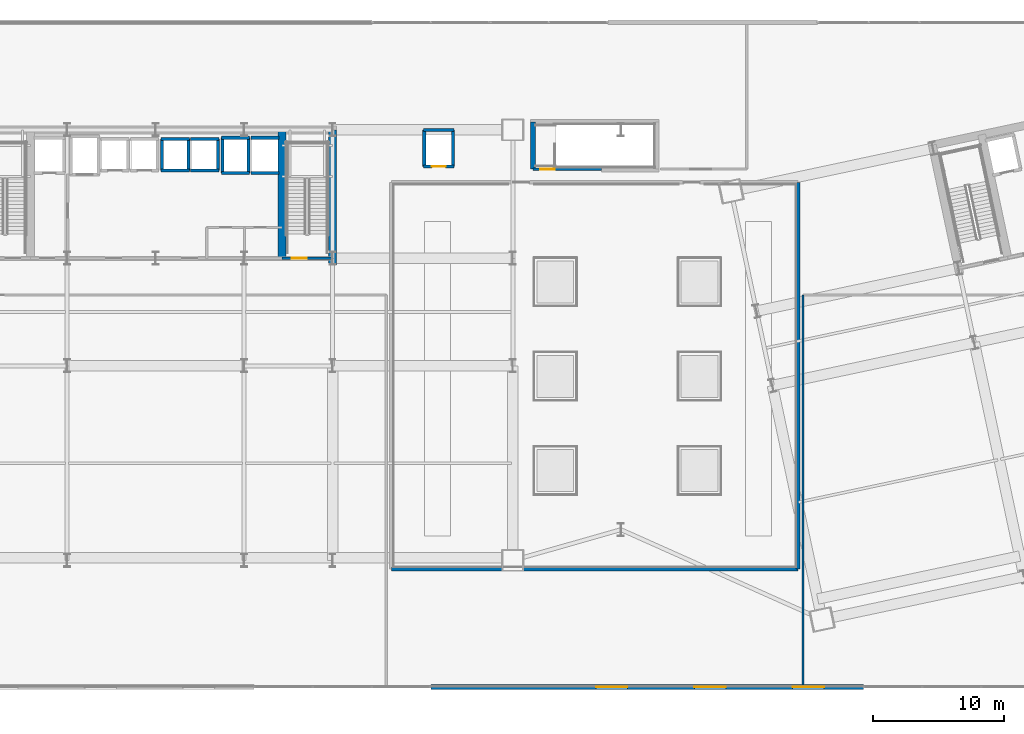
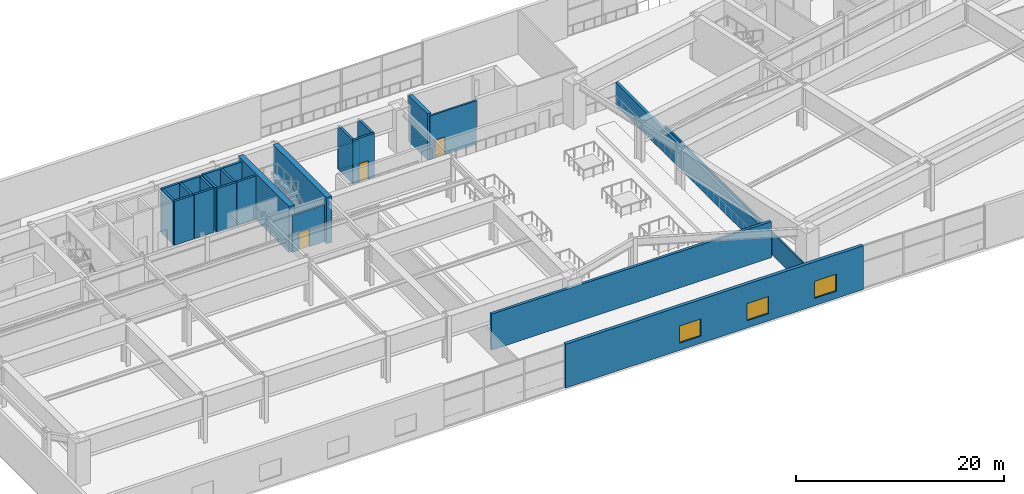
# One storey, part 17 of 29: 26 walls, 3 doors, 3 windows, 6 openings.
"""IFC4 building model written with IfcOpenShell, lengths in metres."""

from ifc_helpers import new_model, si_unit, direction, frame, frame_2d, origin, place, context, subcontext, project, spatial, rectangle, extrude, material, layer, layer_set, type_object, element, fill, save


model = new_model("IFC4")

# Units and contexts
model_context = context("Model", 3, precision=1e-05, world=origin(), true_north=direction((0.0, 1.0)))
body_context = subcontext(model_context, "Body", "Model", "MODEL_VIEW")
ifc_project = project(units=[si_unit("LENGTHUNIT", "METRE"), si_unit("AREAUNIT", "SQUARE_METRE"), si_unit("VOLUMEUNIT", "CUBIC_METRE"), si_unit("PLANEANGLEUNIT", "RADIAN"), si_unit("MASSUNIT", "GRAM", prefix="KILO")], contexts=[model_context])

# Site, building, storey
site_placement = place(None, origin())
site = spatial("IfcSite", under=ifc_project, at=site_placement, CompositionType="ELEMENT")
building_placement = place(site_placement, origin())
building = spatial("IfcBuilding", under=site, at=building_placement, Name="Haevon Station Towers", CompositionType="ELEMENT")
storey_placement = place(building_placement, frame((0.0, 0.0, 25.199951171875)))
storey = spatial("IfcBuildingStorey", under=building, at=storey_placement, Name="L05", CompositionType="ELEMENT", Elevation=25.199951171875)

# Wall, opening, door
ifc_material_1 = material(Name="Gypsum board on steel stud", Category="steel")
ifc_layer_1 = layer(ifc_material_1, 0.199951171875)
ifc_layer_set_1 = layer_set([ifc_layer_1], Name="Gypsum board on steel stud")
wall_type_1 = type_object("IfcWallType", Name="WL-COR200", PredefinedType="PARTITIONING", material=ifc_layer_set_1)
wall_1_placement = place(storey_placement, frame((47.14990234375, 38.199951171875, 0.0), z_axis=(0.0, 0.0, 1.0), x_axis=(1.0, 0.0, 0.0)))
wall_1 = element("IfcWall", 1, at=wall_1_placement, inside=storey, type_object=wall_type_1, Name="WL-ST-ST2-L05", PredefinedType="PARTITIONING", context=body_context, shape_type="SweptSolid", body=[
    extrude(rectangle(XDim=3.85009765625, YDim=0.199951171875, at=frame_2d((1.925048828125, 0.0))), origin(), (0.0, 0.0, 1.0), 4.330078125),
])
opening_1_placement = place(wall_1_placement, frame((0.75, 0.0, 0.0)))
opening_1 = element("IfcOpeningElement", 2, at=opening_1_placement, cuts=wall_1, Name="Opening DR-ST-ST2-L05", PredefinedType="OPENING", context=body_context, shape_type="SweptSolid", body=[
    extrude(rectangle(XDim=1.1201171875, YDim=2.10009765625, at=frame_2d((0.56005859375, 1.050048828125))), frame((0.0, 0.10986328125, 0.0), z_axis=(0.0, -1.0, 0.0), x_axis=(1.0, 0.0, 0.0)), (0.0, 0.0, 1.0), 0.219970703125),
])
ifc_material_2 = material(Name="Engineered oak timber", Category="wood")
door_type_1 = type_object("IfcDoorType", Name="DR-ST-1120", OperationType="NOTDEFINED", PredefinedType="DOOR", material=ifc_material_2)
door_1_placement = place(opening_1_placement, origin())
door_1 = element("IfcDoor", 3, at=door_1_placement, inside=storey, type_object=door_type_1, Name="L05 Escape Stair ST2 Fire Door", OperationType="SINGLE_SWING_LEFT", OverallHeight=2.10009765625, OverallWidth=1.1201171875, PredefinedType="DOOR", context=body_context, shape_type="SweptSolid", body=[
    extrude(rectangle(XDim=1.1201171875, YDim=2.10009765625, at=frame_2d((0.56005859375, 1.050048828125))), frame((0.0, 0.02490234375, 0.0), z_axis=(0.0, -1.0, 0.0), x_axis=(1.0, 0.0, 0.0)), (0.0, 0.0, 1.0), 0.050048828125),
])
fill(opening_1, door_1)

wall_2_placement = place(storey_placement, frame((66.300048828125, 45.0, 0.0), z_axis=(0.0, 0.0, 1.0), x_axis=(1.0, 0.0, 0.0)))
wall_2 = element("IfcWall", 4, at=wall_2_placement, inside=storey, type_object=wall_type_1, Name="WL-ST-ST6-L05-S", PredefinedType="PARTITIONING", context=body_context, shape_type="SweptSolid", body=[
    extrude(rectangle(XDim=5.199951171875, YDim=0.199951171875, at=frame_2d((2.60009765625, 0.0))), origin(), (0.0, 0.0, 1.0), 5.130126953125),
])
opening_2_placement = place(wall_2_placement, frame((0.550048828125, 0.0, 0.0)))
opening_2 = element("IfcOpeningElement", 5, at=opening_2_placement, cuts=wall_2, Name="Opening DR-ST-ST6-L05", PredefinedType="OPENING", context=body_context, shape_type="SweptSolid", body=[
    extrude(rectangle(XDim=1.1201171875, YDim=2.10009765625, at=frame_2d((0.56005859375, 1.050048828125))), frame((0.0, 0.10986328125, 0.0), z_axis=(0.0, -1.0, 0.0), x_axis=(1.0, 0.0, 0.0)), (0.0, 0.0, 1.0), 0.219970703125),
])
door_2_placement = place(opening_2_placement, origin())
door_2 = element("IfcDoor", 6, at=door_2_placement, inside=storey, type_object=door_type_1, Name="L05 Station Escape Stair ST6 Fire Door", OperationType="SINGLE_SWING_RIGHT", OverallHeight=2.10009765625, OverallWidth=1.1201171875, PredefinedType="DOOR", context=body_context, shape_type="SweptSolid", body=[
    extrude(rectangle(XDim=1.1201171875, YDim=2.10009765625, at=frame_2d((0.56005859375, 1.050048828125))), frame((0.0, 0.02490234375, 0.0), z_axis=(0.0, -1.0, 0.0), x_axis=(1.0, 0.0, 0.0)), (0.0, 0.0, 1.0), 0.050048828125),
])
fill(opening_2, door_2)

# Walls
ifc_material_3 = material(Name="Concrete C60/75", Category="concrete")
ifc_layer_2 = layer(ifc_material_3, 0.39990234375)
ifc_layer_set_2 = layer_set([ifc_layer_2], Name="Concrete C60/75")
wall_type_2 = type_object("IfcWallType", Name="WL-CR400", PredefinedType="SHEAR", material=ifc_layer_set_2)
wall_3_placement = place(storey_placement, frame((66.300048828125, 45.0, 0.0), z_axis=(0.0, 0.0, 1.0), x_axis=(0.0, 1.0, 0.0)))
element("IfcWall", 7, at=wall_3_placement, inside=storey, type_object=wall_type_2, Name="WL-ST6CR-L05-W", PredefinedType="SHEAR", context=body_context, shape_type="SweptSolid", body=[
    extrude(rectangle(XDim=3.60009765625, YDim=0.39990234375, at=frame_2d((1.800048828125, 0.0))), origin(), (0.0, 0.0, 1.0), 5.400146484375),
])
ifc_layer_3 = layer(ifc_material_3, 0.60009765625)
ifc_layer_set_3 = layer_set([ifc_layer_3], Name="Concrete C60/75")
wall_type_3 = type_object("IfcWallType", Name="WL-CR600", PredefinedType="SHEAR", material=ifc_layer_set_3)
wall_4_placement = place(storey_placement, frame((51.0, 37.679931640625, 0.0), z_axis=(0.0, 0.0, 1.0), x_axis=(0.0, 1.0, 0.0)))
element("IfcWall", 8, at=wall_4_placement, inside=storey, type_object=wall_type_3, Name="WL-T1CR-L05-E", PredefinedType="SHEAR", context=body_context, shape_type="SweptSolid", body=[
    extrude(rectangle(XDim=10.320068359375, YDim=0.60009765625, at=frame_2d((5.16015625, 0.0))), origin(), (0.0, 0.0, 1.0), 5.400146484375),
])
wall_5_placement = place(storey_placement, frame((47.14990234375, 38.199951171875, 0.0), z_axis=(0.0, 0.0, 1.0), x_axis=(0.0, 1.0, 0.0)))
element("IfcWall", 9, at=wall_5_placement, inside=storey, type_object=wall_type_3, Name="WL-T1CR-L05-M2", PredefinedType="SHEAR", context=body_context, shape_type="SweptSolid", body=[
    extrude(rectangle(XDim=9.800048828125, YDim=0.60009765625, at=frame_2d((4.89990234375, 0.0))), origin(), (0.0, 0.0, 1.0), 5.400146484375),
])
ifc_material_4 = material(Name="Precast concrete C45/55", Category="concrete")
ifc_layer_4 = layer(ifc_material_4, 0.300048828125)
ifc_layer_set_4 = layer_set([ifc_layer_4], Name="Precast concrete C45/55")
wall_type_4 = type_object("IfcWallType", Name="WL-EXT-PIER300", PredefinedType="SOLIDWALL", material=ifc_layer_set_4)
wall_6_placement = place(storey_placement, frame((86.5, 44.0, 0.0), z_axis=(0.0, 0.0, 1.0), x_axis=(0.0, -1.0, 0.0)))
element("IfcWall", 10, at=wall_6_placement, inside=storey, type_object=wall_type_4, Name="WL-L05-CTYD-E", PredefinedType="SOLIDWALL", context=body_context, shape_type="SweptSolid", body=[
    extrude(rectangle(XDim=29.5, YDim=0.300048828125, at=frame_2d((14.75, 0.0))), origin(), (0.0, 0.0, 1.0), 2.630126953125),
])
wall_7_placement = place(storey_placement, frame((55.5, 14.5, 0.0), z_axis=(0.0, 0.0, 1.0), x_axis=(1.0, 0.0, 0.0)))
element("IfcWall", 11, at=wall_7_placement, inside=storey, type_object=wall_type_4, Name="WL-L05-CTYD-S", PredefinedType="SOLIDWALL", context=body_context, shape_type="SweptSolid", body=[
    extrude(rectangle(XDim=31.0, YDim=0.300048828125, at=frame_2d((15.5, 0.0))), origin(), (0.0, 0.0, 1.0), 4.22998046875),
])

# Wall, openings, windows
ifc_layer_5 = layer(ifc_material_4, 0.360107421875)
ifc_layer_set_5 = layer_set([ifc_layer_5], Name="Precast concrete C45/55")
wall_type_5 = type_object("IfcWallType", Name="WL-EXT-POD360", PredefinedType="SOLIDWALL", material=ifc_layer_set_5)
wall_8_placement = place(storey_placement, frame((91.5, 5.5, 0.0), z_axis=(0.0, 0.0, 1.0), x_axis=(-1.0, 0.0, 0.0)))
wall_8 = element("IfcWall", 12, at=wall_8_placement, inside=storey, type_object=wall_type_5, Name="WL-POD-L05-S2", PredefinedType="SOLIDWALL", context=body_context, shape_type="SweptSolid", body=[
    extrude(rectangle(XDim=33.0, YDim=0.360107421875, at=frame_2d((16.5, 0.0))), origin(), (0.0, 0.0, 1.0), 5.130126953125),
])
opening_3_placement = place(wall_8_placement, frame((3.0, 0.0, 0.85009765625)))
opening_3 = element("IfcOpeningElement", 13, at=opening_3_placement, cuts=wall_8, Name="Opening WN-P240", PredefinedType="OPENING", context=body_context, shape_type="SweptSolid", body=[
    extrude(rectangle(XDim=2.39990234375, YDim=2.0, at=frame_2d((1.199951171875, 1.0))), frame((0.0, 0.18994140625, 0.0), z_axis=(0.0, -1.0, 0.0), x_axis=(1.0, 0.0, 0.0)), (0.0, 0.0, 1.0), 0.380126953125),
])
opening_4_placement = place(wall_8_placement, frame((10.5, 0.0, 0.85009765625)))
opening_4 = element("IfcOpeningElement", 14, at=opening_4_placement, cuts=wall_8, Name="Opening WN-P240", PredefinedType="OPENING", context=body_context, shape_type="SweptSolid", body=[
    extrude(rectangle(XDim=2.39990234375, YDim=2.0, at=frame_2d((1.199951171875, 1.0))), frame((0.0, 0.18994140625, 0.0), z_axis=(0.0, -1.0, 0.0), x_axis=(1.0, 0.0, 0.0)), (0.0, 0.0, 1.0), 0.380126953125),
])
opening_5_placement = place(wall_8_placement, frame((18.0, 0.0, 0.85009765625)))
opening_5 = element("IfcOpeningElement", 15, at=opening_5_placement, cuts=wall_8, Name="Opening WN-P240", PredefinedType="OPENING", context=body_context, shape_type="SweptSolid", body=[
    extrude(rectangle(XDim=2.39990234375, YDim=2.0, at=frame_2d((1.199951171875, 1.0))), frame((0.0, 0.18994140625, 0.0), z_axis=(0.0, -1.0, 0.0), x_axis=(1.0, 0.0, 0.0)), (0.0, 0.0, 1.0), 0.380126953125),
])
ifc_material_5 = material(Name="Low-E triple glazing in thermally broken aluminium", Category="aluminium")
window_type = type_object("IfcWindowType", Name="WN-P240", PartitioningType="SINGLE_PANEL", PredefinedType="WINDOW", material=ifc_material_5)
window_1_placement = place(opening_3_placement, origin())
window_1 = element("IfcWindow", 16, at=window_1_placement, inside=storey, type_object=window_type, Name="WN-POD-L05-S2-01", OverallHeight=2.0, OverallWidth=2.39990234375, PartitioningType="SINGLE_PANEL", PredefinedType="WINDOW", context=body_context, shape_type="SweptSolid", body=[
    extrude(rectangle(XDim=2.39990234375, YDim=2.0, at=frame_2d((1.199951171875, 1.0))), frame((0.0, 0.030029296875, 0.0), z_axis=(0.0, -1.0, 0.0), x_axis=(1.0, 0.0, 0.0)), (0.0, 0.0, 1.0), 0.06005859375),
])
fill(opening_3, window_1)
window_2_placement = place(opening_4_placement, origin())
window_2 = element("IfcWindow", 17, at=window_2_placement, inside=storey, type_object=window_type, Name="WN-POD-L05-S2-02", OverallHeight=2.0, OverallWidth=2.39990234375, PartitioningType="SINGLE_PANEL", PredefinedType="WINDOW", context=body_context, shape_type="SweptSolid", body=[
    extrude(rectangle(XDim=2.39990234375, YDim=2.0, at=frame_2d((1.199951171875, 1.0))), frame((0.0, 0.030029296875, 0.0), z_axis=(0.0, -1.0, 0.0), x_axis=(1.0, 0.0, 0.0)), (0.0, 0.0, 1.0), 0.06005859375),
])
fill(opening_4, window_2)
window_3_placement = place(opening_5_placement, origin())
window_3 = element("IfcWindow", 18, at=window_3_placement, inside=storey, type_object=window_type, Name="WN-POD-L05-S2-03", OverallHeight=2.0, OverallWidth=2.39990234375, PartitioningType="SINGLE_PANEL", PredefinedType="WINDOW", context=body_context, shape_type="SweptSolid", body=[
    extrude(rectangle(XDim=2.39990234375, YDim=2.0, at=frame_2d((1.199951171875, 1.0))), frame((0.0, 0.030029296875, 0.0), z_axis=(0.0, -1.0, 0.0), x_axis=(1.0, 0.0, 0.0)), (0.0, 0.0, 1.0), 0.06005859375),
])
fill(opening_5, window_3)

# Walls
ifc_layer_6 = layer(ifc_material_1, 0.159912109375)
ifc_layer_set_6 = layer_set([ifc_layer_6], Name="Gypsum board on steel stud")
wall_type_6 = type_object("IfcWallType", Name="WL-PRT160", PredefinedType="PARTITIONING", material=ifc_layer_set_6)
wall_9_placement = place(storey_placement, frame((86.89990234375, 5.64990234375, 0.0), z_axis=(0.0, 0.0, 1.0), x_axis=(0.0, 1.0, 0.0)))
element("IfcWall", 19, at=wall_9_placement, inside=storey, type_object=wall_type_6, Name="WL-L05-EAST", PredefinedType="PARTITIONING", context=body_context, shape_type="SweptSolid", body=[
    extrude(rectangle(XDim=29.75, YDim=0.159912109375, at=frame_2d((14.875, 0.0))), origin(), (0.0, 0.0, 1.0), 2.630126953125),
])
ifc_material_6 = material(Name="Concrete C40/50", Category="concrete")
ifc_layer_7 = layer(ifc_material_6, 0.239990234375)
ifc_layer_set_7 = layer_set([ifc_layer_7], Name="Concrete C40/50")
wall_type_7 = type_object("IfcWallType", Name="WL-SHF240", PredefinedType="PARTITIONING", material=ifc_layer_set_7)
for number, where, z_axis, x_axis, name in (
    (20, (37.919921875, 44.89990234375, 0.0), (0.0, 0.0, 1.0), (1.0, 0.0, 0.0), "WL-SHF-PL3-L05"),
    (21, (37.919921875, 47.300048828125, 0.0), (0.0, 0.0, 1.0), (1.0, 0.0, 0.0), "WL-SHF-PL3-L05-N"),
):
    element("IfcWall", number, at=place(storey_placement, frame(where, z_axis=z_axis, x_axis=x_axis)), inside=storey, type_object=wall_type_7, Name=name, PredefinedType="PARTITIONING", context=body_context, shape_type="SweptSolid", body=[
        extrude(rectangle(XDim=2.16015625, YDim=0.239990234375, at=frame_2d((1.080078125, 0.0))), origin(), (0.0, 0.0, 1.0), 5.130126953125),
    ])
for number, where, z_axis, x_axis, name in (
    (22, (38.0, 44.89990234375, 0.0), (0.0, 0.0, 1.0), (0.0, 1.0, 0.0), "WL-SHF-PL3-L05-W"),
    (23, (40.0, 44.89990234375, 0.0), (0.0, 0.0, 1.0), (0.0, 1.0, 0.0), "WL-SHF-PL3-L05-E"),
):
    element("IfcWall", number, at=place(storey_placement, frame(where, z_axis=z_axis, x_axis=x_axis)), inside=storey, type_object=wall_type_7, Name=name, PredefinedType="PARTITIONING", context=body_context, shape_type="SweptSolid", body=[
        extrude(rectangle(XDim=2.400146484375, YDim=0.239990234375, at=frame_2d((1.2001953125, 0.0))), origin(), (0.0, 0.0, 1.0), 5.130126953125),
    ])
for number, where, z_axis, x_axis, name in (
    (24, (40.169921875, 44.89990234375, 0.0), (0.0, 0.0, 1.0), (1.0, 0.0, 0.0), "WL-SHF-PL4-L05"),
    (25, (40.169921875, 47.300048828125, 0.0), (0.0, 0.0, 1.0), (1.0, 0.0, 0.0), "WL-SHF-PL4-L05-N"),
):
    element("IfcWall", number, at=place(storey_placement, frame(where, z_axis=z_axis, x_axis=x_axis)), inside=storey, type_object=wall_type_7, Name=name, PredefinedType="PARTITIONING", context=body_context, shape_type="SweptSolid", body=[
        extrude(rectangle(XDim=2.16015625, YDim=0.239990234375, at=frame_2d((1.080078125, 0.0))), origin(), (0.0, 0.0, 1.0), 5.130126953125),
    ])
wall_10_placement = place(storey_placement, frame((42.25, 44.89990234375, 0.0), z_axis=(0.0, 0.0, 1.0), x_axis=(0.0, 1.0, 0.0)))
element("IfcWall", 26, at=wall_10_placement, inside=storey, type_object=wall_type_7, Name="WL-SHF-PL4-L05-E", PredefinedType="PARTITIONING", context=body_context, shape_type="SweptSolid", body=[
    extrude(rectangle(XDim=2.400146484375, YDim=0.239990234375, at=frame_2d((1.2001953125, 0.0))), origin(), (0.0, 0.0, 1.0), 5.130126953125),
])
for number, where, z_axis, x_axis, name in (
    (27, (42.52001953125, 44.699951171875, 0.0), (0.0, 0.0, 1.0), (1.0, 0.0, 0.0), "WL-SHF-PL5-L05"),
    (28, (42.52001953125, 47.39990234375, 0.0), (0.0, 0.0, 1.0), (1.0, 0.0, 0.0), "WL-SHF-PL5-L05-N"),
):
    element("IfcWall", number, at=place(storey_placement, frame(where, z_axis=z_axis, x_axis=x_axis)), inside=storey, type_object=wall_type_7, Name=name, PredefinedType="PARTITIONING", context=body_context, shape_type="SweptSolid", body=[
        extrude(rectangle(XDim=2.159912109375, YDim=0.239990234375, at=frame_2d((1.080078125, 0.0))), origin(), (0.0, 0.0, 1.0), 5.130126953125),
    ])
for number, where, z_axis, x_axis, name in (
    (29, (42.60009765625, 44.699951171875, 0.0), (0.0, 0.0, 1.0), (0.0, 1.0, 0.0), "WL-SHF-PL5-L05-W"),
    (30, (44.60009765625, 44.699951171875, 0.0), (0.0, 0.0, 1.0), (0.0, 1.0, 0.0), "WL-SHF-PL5-L05-E"),
):
    element("IfcWall", number, at=place(storey_placement, frame(where, z_axis=z_axis, x_axis=x_axis)), inside=storey, type_object=wall_type_7, Name=name, PredefinedType="PARTITIONING", context=body_context, shape_type="SweptSolid", body=[
        extrude(rectangle(XDim=2.699951171875, YDim=0.239990234375, at=frame_2d((1.35009765625, 0.0))), origin(), (0.0, 0.0, 1.0), 5.130126953125),
    ])
for number, where, z_axis, x_axis, name in (
    (31, (44.77001953125, 44.699951171875, 0.0), (0.0, 0.0, 1.0), (1.0, 0.0, 0.0), "WL-SHF-PL6-L05"),
    (32, (44.77001953125, 47.39990234375, 0.0), (0.0, 0.0, 1.0), (1.0, 0.0, 0.0), "WL-SHF-PL6-L05-N"),
):
    element("IfcWall", number, at=place(storey_placement, frame(where, z_axis=z_axis, x_axis=x_axis)), inside=storey, type_object=wall_type_7, Name=name, PredefinedType="PARTITIONING", context=body_context, shape_type="SweptSolid", body=[
        extrude(rectangle(XDim=2.159912109375, YDim=0.239990234375, at=frame_2d((1.080078125, 0.0))), origin(), (0.0, 0.0, 1.0), 5.130126953125),
    ])

# Wall, opening, door
wall_11_placement = place(storey_placement, frame((57.919921875, 45.199951171875, 0.0), z_axis=(0.0, 0.0, 1.0), x_axis=(1.0, 0.0, 0.0)))
wall_11 = element("IfcWall", 33, at=wall_11_placement, inside=storey, type_object=wall_type_7, Name="WL-SHF-PL11-L05", PredefinedType="PARTITIONING", context=body_context, shape_type="SweptSolid", body=[
    extrude(rectangle(XDim=2.360107421875, YDim=0.239990234375, at=frame_2d((1.18017578125, 0.0))), origin(), (0.0, 0.0, 1.0), 5.130126953125),
])
opening_6_placement = place(wall_11_placement, frame((0.655029296875, 0.0, 0.0)))
opening_6 = element("IfcOpeningElement", 34, at=opening_6_placement, cuts=wall_11, Name="Opening LD-PL11-L05", PredefinedType="OPENING", context=body_context, shape_type="SweptSolid", body=[
    extrude(rectangle(XDim=1.050048828125, YDim=2.14990234375, at=frame_2d((0.52490234375, 1.074951171875))), frame((0.0, 0.1298828125, 0.0), z_axis=(0.0, -1.0, 0.0), x_axis=(1.0, 0.0, 0.0)), (0.0, 0.0, 1.0), 0.260009765625),
])
ifc_material_7 = material(Name="Stainless steel and rated core", Category="steel")
door_type_2 = type_object("IfcDoorType", Name="LD-PL1050", OperationType="SLIDING_TO_LEFT", PredefinedType="DOOR", material=ifc_material_7)
door_3_placement = place(opening_6_placement, origin())
door_3 = element("IfcDoor", 35, at=door_3_placement, inside=storey, type_object=door_type_2, Name="L05 Lift PL11 Sliding Landing Door", OperationType="SLIDING_TO_LEFT", OverallHeight=2.14990234375, OverallWidth=1.050048828125, PredefinedType="DOOR", context=body_context, shape_type="SweptSolid", body=[
    extrude(rectangle(XDim=1.050048828125, YDim=2.14990234375, at=frame_2d((0.52490234375, 1.074951171875))), frame((0.0, 0.02490234375, 0.0), z_axis=(0.0, -1.0, 0.0), x_axis=(1.0, 0.0, 0.0)), (0.0, 0.0, 1.0), 0.050048828125),
])
fill(opening_6, door_3)

# Walls
wall_12_placement = place(storey_placement, frame((57.919921875, 48.0, 0.0), z_axis=(0.0, 0.0, 1.0), x_axis=(1.0, 0.0, 0.0)))
element("IfcWall", 36, at=wall_12_placement, inside=storey, type_object=wall_type_7, Name="WL-SHF-PL11-L05-N", PredefinedType="PARTITIONING", context=body_context, shape_type="SweptSolid", body=[
    extrude(rectangle(XDim=2.360107421875, YDim=0.239990234375, at=frame_2d((1.18017578125, 0.0))), origin(), (0.0, 0.0, 1.0), 2.630126953125),
])
for number, where, z_axis, x_axis, name in (
    (37, (58.0, 45.199951171875, 0.0), (0.0, 0.0, 1.0), (0.0, 1.0, 0.0), "WL-SHF-PL11-L05-W"),
    (38, (60.199951171875, 45.199951171875, 0.0), (0.0, 0.0, 1.0), (0.0, 1.0, 0.0), "WL-SHF-PL11-L05-E"),
):
    element("IfcWall", number, at=place(storey_placement, frame(where, z_axis=z_axis, x_axis=x_axis)), inside=storey, type_object=wall_type_7, Name=name, PredefinedType="PARTITIONING", context=body_context, shape_type="SweptSolid", body=[
        extrude(rectangle(XDim=2.800048828125, YDim=0.239990234375, at=frame_2d((1.39990234375, 0.0))), origin(), (0.0, 0.0, 1.0), 5.130126953125),
    ])

save(model, "model.ifc")
